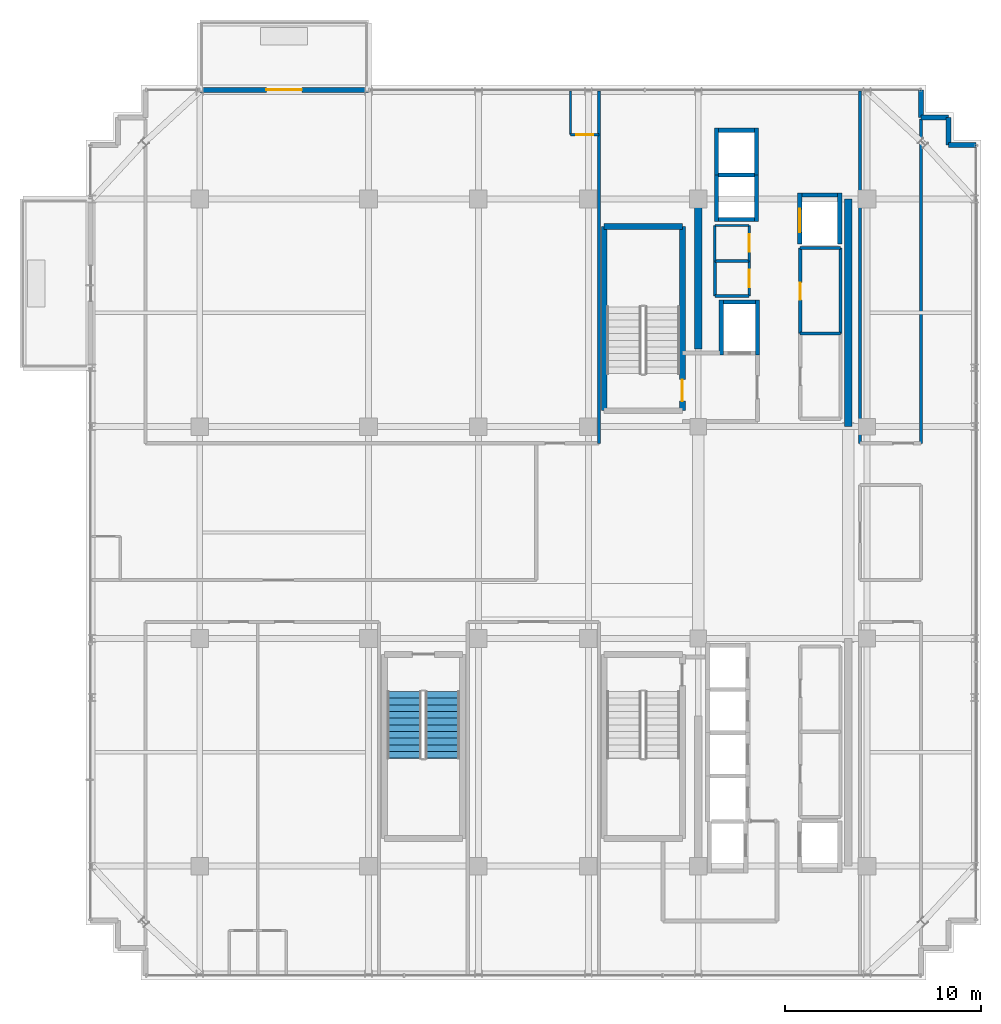
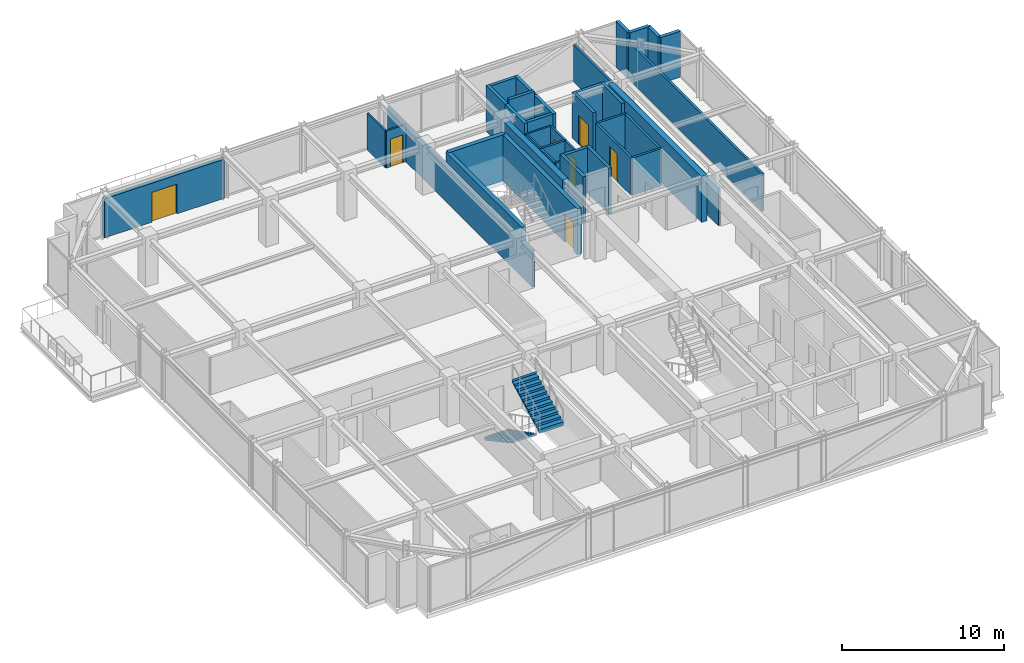
# One storey, part 30 of 34: 39 walls, 7 doors, 2 stair flights, 7 openings, 1 element without a shape of its own.
"""IFC4 building model written with IfcOpenShell, lengths in metres."""

import ifcopenshell
import ifcopenshell.guid

model = None  # the IFC model being written
_history = None  # IfcOwnerHistory: only IFC2X3 demands one
_inside = {}  # id of a spatial element -> (the spatial element, [elements in it])
_under = {}  # id of a project, library or spatial element -> (it, [spatial elements below it])
_declared = {}  # id of a project -> (the project, [libraries it declares])
_typed = {}  # id of a type object -> (the type object, [elements of that type])
_made_of = {}  # id of a material, layer set ... -> (it, [elements and type objects made of it])


def new_model(schema):
    """Start an empty IFC model of exactly this schema.

    Asked for "IFC4X3", IfcOpenShell would pick the latest addendum, in which some entities
    have other attributes; the version numbers below select the first issue.
    IFC2X3 requires an IfcOwnerHistory on every rooted entity: one is made here for all.
    """
    global model, _history
    if schema == "IFC4X3":
        model = ifcopenshell.file(schema_version=(4, 3, 0, 0))
    else:
        model = ifcopenshell.file(schema=schema)
    _inside.clear()
    _under.clear()
    _declared.clear()
    _typed.clear()
    _made_of.clear()
    _history = None
    if model.schema == "IFC2X3":
        org = make("IfcOrganization", Name="unknown")
        user = make(
            "IfcPersonAndOrganization",
            ThePerson=make("IfcPerson", FamilyName="unknown"),
            TheOrganization=org,
        )
        app = make(
            "IfcApplication",
            ApplicationDeveloper=org,
            Version="unknown",
            ApplicationFullName="unknown",
            ApplicationIdentifier="unknown",
        )
        _history = make(
            "IfcOwnerHistory",
            OwningUser=user,
            OwningApplication=app,
            ChangeAction="ADDED",
            CreationDate=0,
        )
    return model


def make(cls, **values):
    """One entity of the class cls with the attributes given. An attribute that is None is left unset."""
    return model.create_entity(
        cls, **{name: value for name, value in values.items() if value is not None}
    )


def rooted(cls, **values):
    """An entity with a GlobalId (a new one), such as an element, a storey or a relation."""
    return make(cls, GlobalId=ifcopenshell.guid.new(), OwnerHistory=_history, **values)


def si_unit(unit_type, name, prefix=None):
    """IfcSIUnit, for example si_unit("LENGTHUNIT", "METRE", prefix="MILLI")."""
    return make("IfcSIUnit", UnitType=unit_type, Prefix=prefix, Name=name)


def assignment(units):
    """IfcUnitAssignment: the units of a project."""
    return None if units is None else make("IfcUnitAssignment", Units=units)


def point(xyz):
    """IfcCartesianPoint."""
    return None if xyz is None else make("IfcCartesianPoint", Coordinates=xyz)


def direction(xyz):
    """IfcDirection."""
    return None if xyz is None else make("IfcDirection", DirectionRatios=xyz)


def frame(location, z_axis=None, x_axis=None):
    """IfcAxis2Placement3D, a coordinate frame: its origin and axes. An axis left out is left unset."""
    return make(
        "IfcAxis2Placement3D",
        Location=point(location),
        Axis=direction(z_axis),
        RefDirection=direction(x_axis),
    )


def frame_2d(location, x_axis=None):
    """IfcAxis2Placement2D, a coordinate frame in the plane: its origin and x axis."""
    return make(
        "IfcAxis2Placement2D", Location=point(location), RefDirection=direction(x_axis)
    )


def origin():
    """The frame at (0, 0, 0) with its axes left unset."""
    return frame((0.0, 0.0, 0.0))


def place(relative_to, where):
    """IfcLocalPlacement: puts the frame where relative to a parent placement (None: the world)."""
    return make(
        "IfcLocalPlacement", PlacementRelTo=relative_to, RelativePlacement=where
    )


def context(
    kind, dimensions, precision=None, world=None, true_north=None, identifier=None
):
    """IfcGeometricRepresentationContext, for example the 3D "Model" context."""
    return make(
        "IfcGeometricRepresentationContext",
        ContextIdentifier=identifier,
        ContextType=kind,
        CoordinateSpaceDimension=dimensions,
        Precision=precision,
        WorldCoordinateSystem=world,
        TrueNorth=true_north,
    )


def subcontext(parent, identifier, kind, view, scale=None):
    """IfcGeometricRepresentationSubContext, for example "Body" below "Model"."""
    return make(
        "IfcGeometricRepresentationSubContext",
        ContextIdentifier=identifier,
        ContextType=kind,
        ParentContext=parent,
        TargetScale=scale,
        TargetView=view,
    )


def project(units=None, contexts=None):
    """IfcProject with its units and contexts."""
    return rooted(
        "IfcProject",
        Name="project",
        RepresentationContexts=contexts,
        UnitsInContext=assignment(units),
    )


def spatial(cls, under=None, at=None, **own):
    """A site, building, storey or space (cls), placed at a placement, below another one or the project."""
    s = rooted(cls, ObjectPlacement=at, **own)
    if under is not None:
        _under.setdefault(under.id(), (under, []))[1].append(s)
    return s


def polyline(points):
    """IfcPolyline through the points."""
    return make("IfcPolyline", Points=[point(p) for p in points])


def profile(cls, at=None, kind="AREA", **sizes):
    """A parametric profile (cls). Its sizes go by their IFC names, for example OverallWidth=200.0."""
    return make(cls, ProfileType=kind, Position=at, **sizes)


def rectangle(**sizes):
    """IfcRectangleProfileDef."""
    return profile("IfcRectangleProfileDef", **sizes)


def outline(outer, holes=None, kind="AREA"):
    """IfcArbitraryClosedProfileDef: a profile drawn as a closed curve; with holes, ...WithVoids."""
    if holes is None:
        return make("IfcArbitraryClosedProfileDef", ProfileType=kind, OuterCurve=outer)
    return make(
        "IfcArbitraryProfileDefWithVoids",
        ProfileType=kind,
        OuterCurve=outer,
        InnerCurves=holes,
    )


def extrude(swept, where, along, depth):
    """IfcExtrudedAreaSolid: the profile swept, set in the frame where, extruded along a direction by depth."""
    return make(
        "IfcExtrudedAreaSolid",
        SweptArea=swept,
        Position=where,
        ExtrudedDirection=direction(along),
        Depth=depth,
    )


def shape(context_of_items, identifier, shape_type, items):
    """IfcShapeRepresentation: the items that make up one representation, for example the "Body"."""
    return make(
        "IfcShapeRepresentation",
        ContextOfItems=context_of_items,
        RepresentationIdentifier=identifier,
        RepresentationType=shape_type,
        Items=items,
    )


def source(mapping_origin, context_of_items, identifier, shape_type, items):
    """IfcRepresentationMap: a shape defined once, which mapped items show again and again."""
    return make(
        "IfcRepresentationMap",
        MappingOrigin=mapping_origin,
        MappedRepresentation=shape(context_of_items, identifier, shape_type, items),
    )


def transform(
    local_origin,
    x_axis=None,
    y_axis=None,
    z_axis=None,
    scale=None,
    scale2=None,
    scale3=None,
    uniform=True,
):
    """IfcCartesianTransformationOperator3D, or its non-uniform kind. x_axis, y_axis, z_axis: its Axis1, 2, 3."""
    if uniform:
        return make(
            "IfcCartesianTransformationOperator3D",
            Axis1=direction(x_axis),
            Axis2=direction(y_axis),
            LocalOrigin=point(local_origin),
            Scale=scale,
            Axis3=direction(z_axis),
        )
    return make(
        "IfcCartesianTransformationOperator3DnonUniform",
        Axis1=direction(x_axis),
        Axis2=direction(y_axis),
        LocalOrigin=point(local_origin),
        Scale=scale,
        Axis3=direction(z_axis),
        Scale2=scale2,
        Scale3=scale3,
    )


def mapped(mapping_source, mapping_target):
    """IfcMappedItem: shows the shape of a source again, moved by a transform."""
    return make(
        "IfcMappedItem", MappingSource=mapping_source, MappingTarget=mapping_target
    )


def material(Name=None, Category=None):
    """IfcMaterial."""
    return make("IfcMaterial", Name=Name, Category=Category)


def layer(
    of_material, thickness, ventilated=None, Name=None, Category=None, Priority=None
):
    """IfcMaterialLayer: one layer of a wall or slab, of a material (None: an air gap)."""
    return make(
        "IfcMaterialLayer",
        Material=of_material,
        LayerThickness=thickness,
        IsVentilated=ventilated,
        Name=Name,
        Category=Category,
        Priority=Priority,
    )


def layer_set(layers, Name=None):
    """IfcMaterialLayerSet."""
    return make("IfcMaterialLayerSet", MaterialLayers=layers, LayerSetName=Name)


def made_of(thing, what):
    """Note that an element or type object is made of a material, layer set ...; save() writes the relation."""
    if what is not None:
        _made_of.setdefault(what.id(), (what, []))[1].append(thing)
    return thing


def type_object(cls, material=None, **own):
    """A type object (cls), such as IfcWallType, which elements share."""
    return made_of(rooted(cls, **own), material)


def element(
    cls,
    number,
    at=None,
    inside=None,
    cuts=None,
    type_object=None,
    material=None,
    context=None,
    identifier="Body",
    shape_type=None,
    held_by="IfcProductDefinitionShape",
    body=None,
    shapes=None,
    **own,
):
    """One element of the class cls, such as IfcWall. Its Tag is "e" and its number.

    at: its placement. inside: the storey or other place that contains it. cuts: it is an
    opening in that element (IfcRelVoidsElement). A single representation is given by context,
    identifier, shape_type and body (its items); several are given by shapes. held_by: the class
    of the entity that holds the representations. save() writes the other relations.
    """
    e = rooted(cls, Tag="e%d" % number, ObjectPlacement=at, **own)
    if body is not None:
        shapes = [shape(context, identifier, shape_type, body)]
    if shapes is not None:
        e.Representation = make(held_by, Representations=shapes)
    if inside is not None:
        _inside.setdefault(inside.id(), (inside, []))[1].append(e)
    if cuts is not None:
        rooted(
            "IfcRelVoidsElement", RelatingBuildingElement=cuts, RelatedOpeningElement=e
        )
    if type_object is not None:
        _typed.setdefault(type_object.id(), (type_object, []))[1].append(e)
    return made_of(e, material)


def fill(opening, filler):
    """IfcRelFillsElement: the door or window that sits in an opening."""
    return rooted(
        "IfcRelFillsElement",
        RelatingOpeningElement=opening,
        RelatedBuildingElement=filler,
    )


def aggregate(whole, parts):
    """IfcRelAggregates: a whole, such as a stair, and the parts it consists of."""
    return rooted("IfcRelAggregates", RelatingObject=whole, RelatedObjects=parts)


def save(model, path):
    """Write the relations noted so far, then the file.

    IfcRelAggregates (storeys below a building ...), IfcRelContainedInSpatialStructure (elements
    in a storey), IfcRelDefinesByType, IfcRelAssociatesMaterial and IfcRelDeclares: one each for
    every whole, place, type object, material and project.
    """
    for whole, parts in _under.values():
        aggregate(whole, parts)
    for where, things in _inside.values():
        rooted(
            "IfcRelContainedInSpatialStructure",
            RelatedElements=things,
            RelatingStructure=where,
        )
    for kind, things in _typed.values():
        rooted("IfcRelDefinesByType", RelatedObjects=things, RelatingType=kind)
    for what, things in _made_of.values():
        rooted("IfcRelAssociatesMaterial", RelatedObjects=things, RelatingMaterial=what)
    for by, libraries in _declared.values():
        rooted("IfcRelDeclares", RelatingContext=by, RelatedDefinitions=libraries)
    model.write(path)


model = new_model("IFC4")

# Units and contexts
model_context = context("Model", 3, precision=1e-05, world=origin(), true_north=direction((0.0, 1.0)))
body_context = subcontext(model_context, "Body", "Model", "MODEL_VIEW")
ifc_project = project(units=[si_unit("LENGTHUNIT", "METRE"), si_unit("AREAUNIT", "SQUARE_METRE"), si_unit("VOLUMEUNIT", "CUBIC_METRE"), si_unit("PLANEANGLEUNIT", "RADIAN"), si_unit("MASSUNIT", "GRAM", prefix="KILO")], contexts=[model_context])

# Site, building, storey
site_placement = place(None, origin())
site = spatial("IfcSite", under=ifc_project, at=site_placement, CompositionType="ELEMENT")
building_placement = place(site_placement, origin())
building = spatial("IfcBuilding", under=site, at=building_placement, Name="Nahalor Promenade Grand Hotel", CompositionType="ELEMENT")
storey_placement = place(building_placement, frame((0.0, 0.0, 334.75)))
storey = spatial("IfcBuildingStorey", under=building, at=storey_placement, Name="L86", CompositionType="ELEMENT", Elevation=334.75)

# Walls
ifc_material_1 = material(Name="Concrete B-50 (C40/50)", Category="concrete")
ifc_layer_1 = layer(ifc_material_1, 0.39990234375)
ifc_layer_set_1 = layer_set([ifc_layer_1], Name="Concrete B-50 (C40/50)")
wall_type_1 = type_object("IfcWallType", Name="Wall-CoreShear-400", PredefinedType="SHEAR", material=ifc_layer_set_1)
shared_shape_1 = source(origin(), body_context, "Body", "SweptSolid", [
    extrude(rectangle(XDim=7.64990234375, YDim=0.39990234375, at=frame_2d((3.824951171875, 0.0))), origin(), (0.0, 0.0, 1.0), 3.469970703125),
])
wall_1_placement = place(storey_placement, frame((8.39990234375, 9.35009765625, 0.0), z_axis=(0.0, 0.0, 1.0), x_axis=(0.0, 1.0, 0.0)))
element("IfcWall", 1, at=wall_1_placement, inside=storey, type_object=wall_type_1, Name="CWALL-L86-NW", PredefinedType="SHEAR", context=body_context, shape_type="MappedRepresentation", body=[
    mapped(shared_shape_1, transform((0.0, 0.0, 0.0), scale=1.0)),
])
shared_shape_2 = source(origin(), body_context, "Body", "SweptSolid", [
    extrude(rectangle(XDim=11.60009765625, YDim=0.39990234375, at=frame_2d((5.800048828125, 0.0))), origin(), (0.0, 0.0, 1.0), 3.469970703125),
])
wall_2_placement = place(storey_placement, frame((16.050048828125, 5.39990234375, 0.0), z_axis=(0.0, 0.0, 1.0), x_axis=(0.0, 1.0, 0.0)))
element("IfcWall", 2, at=wall_2_placement, inside=storey, type_object=wall_type_1, Name="CWALL-L86-NE", PredefinedType="SHEAR", context=body_context, shape_type="MappedRepresentation", body=[
    mapped(shared_shape_2, transform((0.0, 0.0, 0.0), scale=1.0)),
])
ifc_layer_2 = layer(ifc_material_1, 0.300048828125)
ifc_layer_set_2 = layer_set([ifc_layer_2], Name="Concrete B-50 (C40/50)")
wall_type_2 = type_object("IfcWallType", Name="Wall-ShaftShear-300", PredefinedType="SHEAR", material=ifc_layer_set_2)
shared_shape_3 = source(origin(), body_context, "Body", "SweptSolid", [
    extrude(rectangle(XDim=3.97998046875, YDim=0.300048828125, at=frame_2d((1.989990234375, 0.0))), origin(), (0.0, 0.0, 1.0), 3.469970703125),
])
wall_3_placement = place(storey_placement, frame((3.610107421875, 15.590087890625, 0.0), z_axis=(0.0, 0.0, 1.0), x_axis=(1.0, 0.0, 0.0)))
element("IfcWall", 3, at=wall_3_placement, inside=storey, type_object=wall_type_2, Name="L86 Exit Stair ST1 Shaft Wall N", PredefinedType="SHEAR", context=body_context, shape_type="MappedRepresentation", body=[
    mapped(shared_shape_3, transform((0.0, 0.0, 0.0), scale=1.0)),
])
shared_shape_4 = source(origin(), body_context, "Body", "SweptSolid", [
    extrude(rectangle(XDim=9.380126953125, YDim=0.300048828125, at=frame_2d((4.68994140625, 0.0))), origin(), (0.0, 0.0, 1.0), 3.469970703125),
])
wall_4_placement = place(storey_placement, frame((3.610107421875, 6.2099609375, 0.0), z_axis=(0.0, 0.0, 1.0), x_axis=(0.0, 1.0, 0.0)))
element("IfcWall", 4, at=wall_4_placement, inside=storey, type_object=wall_type_2, Name="L86 Exit Stair ST1 Shaft Wall W", PredefinedType="SHEAR", context=body_context, shape_type="MappedRepresentation", body=[
    mapped(shared_shape_4, transform((0.0, 0.0, 0.0), scale=1.0)),
])

# Wall, opening, door
wall_5_placement = place(storey_placement, frame((7.590087890625, 6.2099609375, 0.0), z_axis=(0.0, 0.0, 1.0), x_axis=(0.0, 1.0, 0.0)))
wall_5 = element("IfcWall", 5, at=wall_5_placement, inside=storey, type_object=wall_type_2, Name="L86 Exit Stair ST1 Shaft Wall E", PredefinedType="SHEAR", context=body_context, shape_type="MappedRepresentation", body=[
    mapped(shared_shape_4, transform((0.0, 0.0, 0.0), scale=1.0)),
])
opening_1_placement = place(wall_5_placement, frame((0.489990234375, 0.0, 0.0)))
opening_1 = element("IfcOpeningElement", 6, at=opening_1_placement, cuts=wall_5, Name="Opening D-ST1", PredefinedType="OPENING", context=body_context, shape_type="SweptSolid", body=[
    extrude(rectangle(XDim=1.10009765625, YDim=2.14990234375, at=frame_2d((0.550048828125, 1.074951171875))), frame((0.0, 0.159912109375, 0.0), z_axis=(0.0, -1.0, 0.0), x_axis=(1.0, 0.0, 0.0)), (0.0, 0.0, 1.0), 0.320068359375),
])
ifc_material_2 = material(Name="Steel S355JR", Category="steel")
door_type_1 = type_object("IfcDoorType", Name="Door-StairFire-1100", OperationType="NOTDEFINED", PredefinedType="DOOR", material=ifc_material_2)
shared_shape_5 = source(origin(), body_context, "Body", "SweptSolid", [
    extrude(rectangle(XDim=1.10009765625, YDim=2.14990234375, at=frame_2d((0.550048828125, 1.074951171875))), frame((0.0, 0.02490234375, 0.0), z_axis=(0.0, -1.0, 0.0), x_axis=(1.0, 0.0, 0.0)), (0.0, 0.0, 1.0), 0.050048828125),
])
door_1_placement = place(opening_1_placement, origin())
door_1 = element("IfcDoor", 7, at=door_1_placement, inside=storey, type_object=door_type_1, Name="DR-STAIR-ST1-L86", OperationType="SINGLE_SWING_LEFT", OverallHeight=2.14990234375, OverallWidth=1.10009765625, PredefinedType="DOOR", context=body_context, shape_type="MappedRepresentation", body=[
    mapped(shared_shape_5, transform((0.0, 0.0, 0.0), scale=1.0)),
])
fill(opening_1, door_1)

# Walls
ifc_layer_3 = layer(ifc_material_1, 0.219970703125)
ifc_layer_set_3 = layer_set([ifc_layer_3], Name="Concrete B-50 (C40/50)")
wall_type_3 = type_object("IfcWallType", Name="Wall-LiftShaft-220", PredefinedType="SHEAR", material=ifc_layer_set_3)
shared_shape_6 = source(origin(), body_context, "Body", "SweptSolid", [
    extrude(rectangle(XDim=1.820068359375, YDim=0.219970703125, at=frame_2d((0.91015625, 0.0))), origin(), (0.0, 0.0, 1.0), 3.469970703125),
])
for number, where, z_axis, x_axis, name in (
    (8, (9.43994140625, 15.949951171875, 0.0), (0.0, 0.0, 1.0), (1.0, 0.0, 0.0), "L86 Lift OB1 Hoistway Wall S"),
    (9, (9.43994140625, 20.5, 0.0), (0.0, 0.0, 1.0), (1.0, 0.0, 0.0), "L86 Lift OB2 Hoistway Wall N"),
    (10, (13.68994140625, 17.199951171875, 0.0), (0.0, 0.0, 1.0), (1.0, 0.0, 0.0), "L86 Lift SV1 Hoistway Wall N"),
):
    element("IfcWall", number, at=place(storey_placement, frame(where, z_axis=z_axis, x_axis=x_axis)), inside=storey, type_object=wall_type_3, Name=name, PredefinedType="SHEAR", context=body_context, shape_type="MappedRepresentation", body=[
        mapped(shared_shape_6, transform((0.0, 0.0, 0.0), scale=1.0)),
    ])
shared_shape_7 = source(origin(), body_context, "Body", "SweptSolid", [
    extrude(rectangle(XDim=1.820068359375, YDim=0.219970703125, at=frame_2d((0.91015625, 0.0))), origin(), (0.0, 0.0, 1.0), 3.800048828125),
])
wall_6_placement = place(storey_placement, frame((9.43994140625, 18.22509765625, 0.0), z_axis=(0.0, 0.0, 1.0), x_axis=(1.0, 0.0, 0.0)))
element("IfcWall", 11, at=wall_6_placement, inside=storey, type_object=wall_type_3, Name="L86 Lift OB1 Hoistway Wall N", PredefinedType="SHEAR", context=body_context, shape_type="MappedRepresentation", body=[
    mapped(shared_shape_7, transform((0.0, 0.0, 0.0), scale=1.0)),
])
shared_shape_8 = source(origin(), body_context, "Body", "SweptSolid", [
    extrude(rectangle(XDim=2.385009765625, YDim=0.219970703125, at=frame_2d((1.1923828125, 0.0))), origin(), (0.0, 0.0, 1.0), 3.469970703125),
])
for number, where, z_axis, x_axis, name in (
    (12, (9.330078125, 15.840087890625, 0.0), (0.0, 0.0, 1.0), (0.0, 1.0, 0.0), "L86 Lift OB1 Hoistway Wall W"),
    (13, (11.3701171875, 15.840087890625, 0.0), (0.0, 0.0, 1.0), (0.0, 1.0, 0.0), "L86 Lift OB1 Hoistway Wall E"),
    (14, (9.330078125, 18.22509765625, 0.0), (0.0, 0.0, 1.0), (0.0, 1.0, 0.0), "L86 Lift OB2 Hoistway Wall W"),
    (15, (11.3701171875, 18.22509765625, 0.0), (0.0, 0.0, 1.0), (0.0, 1.0, 0.0), "L86 Lift OB2 Hoistway Wall E"),
):
    element("IfcWall", number, at=place(storey_placement, frame(where, z_axis=z_axis, x_axis=x_axis)), inside=storey, type_object=wall_type_3, Name=name, PredefinedType="SHEAR", context=body_context, shape_type="MappedRepresentation", body=[
        mapped(shared_shape_8, transform((0.0, 0.0, 0.0), scale=1.0)),
    ])
shared_shape_9 = source(origin(), body_context, "Body", "SweptSolid", [
    extrude(rectangle(XDim=2.820068359375, YDim=0.219970703125, at=frame_2d((1.41015625, 0.0))), origin(), (0.0, 0.0, 1.0), 3.469970703125),
])
for number, where, z_axis, x_axis, name in (
    (16, (9.580078125, 9.0400390625, 0.0), (0.0, 0.0, 1.0), (0.0, 1.0, 0.0), "L86 Lift FL1 Hoistway Wall W"),
    (17, (11.419921875, 9.0400390625, 0.0), (0.0, 0.0, 1.0), (0.0, 1.0, 0.0), "L86 Lift FL1 Hoistway Wall E"),
):
    element("IfcWall", number, at=place(storey_placement, frame(where, z_axis=z_axis, x_axis=x_axis)), inside=storey, type_object=wall_type_3, Name=name, PredefinedType="SHEAR", context=body_context, shape_type="MappedRepresentation", body=[
        mapped(shared_shape_9, transform((0.0, 0.0, 0.0), scale=1.0)),
    ])
shared_shape_10 = source(origin(), body_context, "Body", "SweptSolid", [
    extrude(rectangle(XDim=1.6201171875, YDim=0.219970703125, at=frame_2d((0.81005859375, 0.0))), origin(), (0.0, 0.0, 1.0), 3.469970703125),
])
wall_7_placement = place(storey_placement, frame((9.68994140625, 11.75, 0.0), z_axis=(0.0, 0.0, 1.0), x_axis=(1.0, 0.0, 0.0)))
element("IfcWall", 18, at=wall_7_placement, inside=storey, type_object=wall_type_3, Name="L86 Lift FL1 Hoistway Wall N", PredefinedType="SHEAR", context=body_context, shape_type="MappedRepresentation", body=[
    mapped(shared_shape_10, transform((0.0, 0.0, 0.0), scale=1.0)),
])

# Wall, opening, door
shared_shape_11 = source(origin(), body_context, "Body", "SweptSolid", [
    extrude(rectangle(XDim=2.610107421875, YDim=0.219970703125, at=frame_2d((1.30517578125, 0.0))), origin(), (0.0, 0.0, 1.0), 3.469970703125),
])
wall_8_placement = place(storey_placement, frame((13.580078125, 14.699951171875, 0.0), z_axis=(0.0, 0.0, 1.0), x_axis=(0.0, 1.0, 0.0)))
wall_8 = element("IfcWall", 19, at=wall_8_placement, inside=storey, type_object=wall_type_3, Name="L86 Lift SV1 Hoistway Wall W", PredefinedType="SHEAR", context=body_context, shape_type="MappedRepresentation", body=[
    mapped(shared_shape_11, transform((0.0, 0.0, 0.0), scale=1.0)),
])
opening_2_placement = place(wall_8_placement, frame((0.60009765625, 0.0, 0.0)))
opening_2 = element("IfcOpeningElement", 20, at=opening_2_placement, cuts=wall_8, Name="Opening LD-03", PredefinedType="OPENING", context=body_context, shape_type="SweptSolid", body=[
    extrude(rectangle(XDim=1.199951171875, YDim=2.199951171875, at=frame_2d((0.60009765625, 1.10009765625))), frame((0.0, 0.119873046875, 0.0), z_axis=(0.0, -1.0, 0.0), x_axis=(1.0, 0.0, 0.0)), (0.0, 0.0, 1.0), 0.239990234375),
])
door_type_2 = type_object("IfcDoorType", Name="Door-LiftService-1200", OperationType="DOUBLE_DOOR_SLIDING", PredefinedType="DOOR", material=ifc_material_2)
shared_shape_12 = source(origin(), body_context, "Body", "SweptSolid", [
    extrude(rectangle(XDim=1.199951171875, YDim=2.199951171875, at=frame_2d((0.60009765625, 1.10009765625))), frame((0.0, 0.02490234375, 0.0), z_axis=(0.0, -1.0, 0.0), x_axis=(1.0, 0.0, 0.0)), (0.0, 0.0, 1.0), 0.050048828125),
])
door_2_placement = place(opening_2_placement, origin())
door_2 = element("IfcDoor", 21, at=door_2_placement, inside=storey, type_object=door_type_2, Name="DR-LIFT-SV1-L86", OperationType="DOUBLE_DOOR_SLIDING", OverallHeight=2.199951171875, OverallWidth=1.199951171875, PredefinedType="DOOR", context=body_context, shape_type="MappedRepresentation", body=[
    mapped(shared_shape_12, transform((0.0, 0.0, 0.0), scale=1.0)),
])
fill(opening_2, door_2)

# Walls
wall_9_placement = place(storey_placement, frame((15.6201171875, 14.699951171875, 0.0), z_axis=(0.0, 0.0, 1.0), x_axis=(0.0, 1.0, 0.0)))
element("IfcWall", 22, at=wall_9_placement, inside=storey, type_object=wall_type_3, Name="L86 Lift SV1 Hoistway Wall E", PredefinedType="SHEAR", context=body_context, shape_type="MappedRepresentation", body=[
    mapped(shared_shape_11, transform((0.0, 0.0, 0.0), scale=1.0)),
])
ifc_material_3 = material(Name="Concrete B-40 (C32/40)", Category="concrete")
ifc_layer_4 = layer(ifc_material_3, 0.25)
ifc_layer_set_4 = layer_set([ifc_layer_4], Name="Concrete B-40 (C32/40)")
wall_type_4 = type_object("IfcWallType", Name="Wall-BronzePier-250", PredefinedType="STANDARD", material=ifc_layer_set_4)
shared_shape_13 = source(origin(), body_context, "Body", "SweptSolid", [
    extrude(rectangle(XDim=1.400146484375, YDim=0.25, at=frame_2d((0.7001953125, 0.0))), origin(), (0.0, 0.0, 1.0), 3.469970703125),
])
for number, where, z_axis, x_axis, name in (
    (23, (21.159912109375, 19.760009765625, 0.0), (0.0, 0.0, 1.0), (1.0, 0.0, 0.0), "W-L86-SR-05"),
    (24, (19.760009765625, 21.159912109375, 0.0), (0.0, 0.0, 1.0), (0.0, 1.0, 0.0), "W-L86-SR-08"),
):
    element("IfcWall", number, at=place(storey_placement, frame(where, z_axis=z_axis, x_axis=x_axis)), inside=storey, type_object=wall_type_4, Name=name, PredefinedType="STANDARD", context=body_context, shape_type="MappedRepresentation", body=[
        mapped(shared_shape_13, transform((0.0, 0.0, 0.0), scale=1.0)),
    ])
shared_shape_14 = source(origin(), body_context, "Body", "SweptSolid", [
    extrude(rectangle(XDim=1.39990234375, YDim=0.25, at=frame_2d((0.699951171875, 0.0))), origin(), (0.0, 0.0, 1.0), 3.469970703125),
])
for number, where, z_axis, x_axis, name in (
    (25, (21.159912109375, 19.760009765625, 0.0), (0.0, 0.0, 1.0), (0.0, 1.0, 0.0), "W-L86-SR-06"),
    (26, (19.760009765625, 21.159912109375, 0.0), (0.0, 0.0, 1.0), (1.0, 0.0, 0.0), "W-L86-SR-07"),
):
    element("IfcWall", number, at=place(storey_placement, frame(where, z_axis=z_axis, x_axis=x_axis)), inside=storey, type_object=wall_type_4, Name=name, PredefinedType="STANDARD", context=body_context, shape_type="MappedRepresentation", body=[
        mapped(shared_shape_14, transform((0.0, 0.0, 0.0), scale=1.0)),
    ])

# Wall, opening, door
ifc_layer_5 = layer(ifc_material_3, 0.260009765625)
ifc_layer_set_5 = layer_set([ifc_layer_5], Name="Concrete B-40 (C32/40)")
wall_type_5 = type_object("IfcWallType", Name="Wall-BalconyWall-260", PredefinedType="STANDARD", material=ifc_layer_set_5)
shared_shape_15 = source(origin(), body_context, "Body", "SweptSolid", [
    extrude(rectangle(XDim=8.60009765625, YDim=0.260009765625, at=frame_2d((4.300048828125, 0.0))), origin(), (0.0, 0.0, 1.0), 2.949951171875),
])
wall_10_placement = place(storey_placement, frame((-17.0, 22.56005859375, 0.0), z_axis=(0.0, 0.0, 1.0), x_axis=(1.0, 0.0, 0.0)))
wall_10 = element("IfcWall", 27, at=wall_10_placement, inside=storey, type_object=wall_type_5, Name="W-L86-BALC-N-2", PredefinedType="STANDARD", context=body_context, shape_type="MappedRepresentation", body=[
    mapped(shared_shape_15, transform((0.0, 0.0, 0.0), scale=1.0)),
])
opening_3_placement = place(wall_10_placement, frame((3.39990234375, 0.0, 0.0)))
opening_3 = element("IfcOpeningElement", 28, at=opening_3_placement, cuts=wall_10, Name="Opening D-BC1", PredefinedType="OPENING", context=body_context, shape_type="SweptSolid", body=[
    extrude(rectangle(XDim=1.800048828125, YDim=2.25, at=frame_2d((0.89990234375, 1.125))), frame((0.0, 0.139892578125, 0.0), z_axis=(0.0, -1.0, 0.0), x_axis=(1.0, 0.0, 0.0)), (0.0, 0.0, 1.0), 0.280029296875),
])
ifc_material_4 = material(Name="Anodised Bronze Aluminium EN AW-6063 T6", Category="aluminium")
door_type_3 = type_object("IfcDoorType", Name="Door-BalconySlide-1800", OperationType="DOUBLE_DOOR_SLIDING", PredefinedType="DOOR", material=ifc_material_4)
shared_shape_16 = source(origin(), body_context, "Body", "SweptSolid", [
    extrude(rectangle(XDim=1.800048828125, YDim=2.25, at=frame_2d((0.89990234375, 1.125))), frame((0.0, 0.02490234375, 0.0), z_axis=(0.0, -1.0, 0.0), x_axis=(1.0, 0.0, 0.0)), (0.0, 0.0, 1.0), 0.050048828125),
])
door_3_placement = place(opening_3_placement, origin())
door_3 = element("IfcDoor", 29, at=door_3_placement, inside=storey, type_object=door_type_3, Name="DR-L86-BALC-N-2", OperationType="DOUBLE_DOOR_SLIDING", OverallHeight=2.25, OverallWidth=1.800048828125, PredefinedType="DOOR", context=body_context, shape_type="MappedRepresentation", body=[
    mapped(shared_shape_16, transform((0.0, 0.0, 0.0), scale=1.0)),
])
fill(opening_3, door_3)

# Walls
ifc_material_5 = material(Name="Acoustic Mineral Gypsum", Category="gypsum")
ifc_layer_6 = layer(ifc_material_5, 0.14990234375)
ifc_layer_set_6 = layer_set([ifc_layer_6], Name="Acoustic Mineral Gypsum")
wall_type_6 = type_object("IfcWallType", Name="Wall-PartService-150", PredefinedType="PARTITIONING", material=ifc_layer_set_6)
shared_shape_17 = source(origin(), body_context, "Body", "SweptSolid", [
    extrude(rectangle(XDim=1.75, YDim=0.14990234375, at=frame_2d((0.875, 0.0))), origin(), (0.0, 0.0, 1.0), 2.81005859375),
])
for number, where, z_axis, x_axis, name in (
    (30, (9.25, 12.050048828125, 0.0), (0.0, 0.0, 1.0), (1.0, 0.0, 0.0), "W-L86-CK2A-S"),
    (31, (9.25, 13.85009765625, 0.0), (0.0, 0.0, 1.0), (1.0, 0.0, 0.0), "W-L86-CK2A-N"),
):
    element("IfcWall", number, at=place(storey_placement, frame(where, z_axis=z_axis, x_axis=x_axis)), inside=storey, type_object=wall_type_6, Name=name, PredefinedType="PARTITIONING", context=body_context, shape_type="MappedRepresentation", body=[
        mapped(shared_shape_17, transform((0.0, 0.0, 0.0), scale=1.0)),
    ])
shared_shape_18 = source(origin(), body_context, "Body", "SweptSolid", [
    extrude(rectangle(XDim=1.800048828125, YDim=0.14990234375, at=frame_2d((0.89990234375, 0.0))), origin(), (0.0, 0.0, 1.0), 2.81005859375),
])
wall_11_placement = place(storey_placement, frame((9.25, 12.050048828125, 0.0), z_axis=(0.0, 0.0, 1.0), x_axis=(0.0, 1.0, 0.0)))
element("IfcWall", 32, at=wall_11_placement, inside=storey, type_object=wall_type_6, Name="W-L86-CK2A-W", PredefinedType="PARTITIONING", context=body_context, shape_type="MappedRepresentation", body=[
    mapped(shared_shape_18, transform((0.0, 0.0, 0.0), scale=1.0)),
])

# Wall, opening, door
wall_12_placement = place(storey_placement, frame((11.0, 12.050048828125, 0.0), z_axis=(0.0, 0.0, 1.0), x_axis=(0.0, 1.0, 0.0)))
wall_12 = element("IfcWall", 33, at=wall_12_placement, inside=storey, type_object=wall_type_6, Name="W-L86-CK2A-E", PredefinedType="PARTITIONING", context=body_context, shape_type="MappedRepresentation", body=[
    mapped(shared_shape_18, transform((0.0, 0.0, 0.0), scale=1.0)),
])
opening_4_placement = place(wall_12_placement, frame((0.4599609375, 0.0, 0.0)))
opening_4 = element("IfcOpeningElement", 34, at=opening_4_placement, cuts=wall_12, Name="Opening D-03", PredefinedType="OPENING", context=body_context, shape_type="SweptSolid", body=[
    extrude(rectangle(XDim=0.8798828125, YDim=2.10009765625, at=frame_2d((0.43994140625, 1.050048828125))), frame((0.0, 0.0849609375, 0.0), z_axis=(0.0, -1.0, 0.0), x_axis=(1.0, 0.0, 0.0)), (0.0, 0.0, 1.0), 0.169921875),
])
ifc_material_6 = material(Name="Fire-Rated Timber Composite", Category="wood")
door_type_4 = type_object("IfcDoorType", Name="Door-BathSwing-880", OperationType="NOTDEFINED", PredefinedType="DOOR", material=ifc_material_6)
shared_shape_19 = source(origin(), body_context, "Body", "SweptSolid", [
    extrude(rectangle(XDim=0.8798828125, YDim=2.10009765625, at=frame_2d((0.43994140625, 1.050048828125))), frame((0.0, 0.02490234375, 0.0), z_axis=(0.0, -1.0, 0.0), x_axis=(1.0, 0.0, 0.0)), (0.0, 0.0, 1.0), 0.050048828125),
])
door_4_placement = place(opening_4_placement, origin())
door_4 = element("IfcDoor", 35, at=door_4_placement, inside=storey, type_object=door_type_4, Name="DR-L86-CK2A", OperationType="SINGLE_SWING_LEFT", OverallHeight=2.10009765625, OverallWidth=0.8798828125, PredefinedType="DOOR", context=body_context, shape_type="MappedRepresentation", body=[
    mapped(shared_shape_19, transform((0.0, 0.0, 0.0), scale=1.0)),
])
fill(opening_4, door_4)

# Walls
ifc_layer_7 = layer(ifc_material_5, 0.1201171875)
ifc_layer_set_7 = layer_set([ifc_layer_7], Name="Acoustic Mineral Gypsum")
wall_type_7 = type_object("IfcWallType", Name="Wall-PartBath-120", PredefinedType="PARTITIONING", material=ifc_layer_set_7)
shared_shape_20 = source(origin(), body_context, "Body", "SweptSolid", [
    extrude(rectangle(XDim=1.75, YDim=0.1201171875, at=frame_2d((0.875, 0.0))), origin(), (0.0, 0.0, 1.0), 2.81005859375),
])
wall_13_placement = place(storey_placement, frame((9.25, 15.64990234375, 0.0), z_axis=(0.0, 0.0, 1.0), x_axis=(1.0, 0.0, 0.0)))
element("IfcWall", 36, at=wall_13_placement, inside=storey, type_object=wall_type_7, Name="W-L86-CK2B-N", PredefinedType="PARTITIONING", context=body_context, shape_type="MappedRepresentation", body=[
    mapped(shared_shape_20, transform((0.0, 0.0, 0.0), scale=1.0)),
])
shared_shape_21 = source(origin(), body_context, "Body", "SweptSolid", [
    extrude(rectangle(XDim=1.7998046875, YDim=0.1201171875, at=frame_2d((0.89990234375, 0.0))), origin(), (0.0, 0.0, 1.0), 2.81005859375),
])
wall_14_placement = place(storey_placement, frame((9.25, 13.85009765625, 0.0), z_axis=(0.0, 0.0, 1.0), x_axis=(0.0, 1.0, 0.0)))
element("IfcWall", 37, at=wall_14_placement, inside=storey, type_object=wall_type_7, Name="W-L86-CK2B-W", PredefinedType="PARTITIONING", context=body_context, shape_type="MappedRepresentation", body=[
    mapped(shared_shape_21, transform((0.0, 0.0, 0.0), scale=1.0)),
])

# Wall, opening, door
wall_15_placement = place(storey_placement, frame((11.0, 13.85009765625, 0.0), z_axis=(0.0, 0.0, 1.0), x_axis=(0.0, 1.0, 0.0)))
wall_15 = element("IfcWall", 38, at=wall_15_placement, inside=storey, type_object=wall_type_7, Name="W-L86-CK2B-E", PredefinedType="PARTITIONING", context=body_context, shape_type="MappedRepresentation", body=[
    mapped(shared_shape_21, transform((0.0, 0.0, 0.0), scale=1.0)),
])
opening_5_placement = place(wall_15_placement, frame((0.4599609375, 0.0, 0.0)))
opening_5 = element("IfcOpeningElement", 39, at=opening_5_placement, cuts=wall_15, Name="Opening D-03", PredefinedType="OPENING", context=body_context, shape_type="SweptSolid", body=[
    extrude(rectangle(XDim=0.8798828125, YDim=2.10009765625, at=frame_2d((0.43994140625, 1.050048828125))), frame((0.0, 0.070068359375, 0.0), z_axis=(0.0, -1.0, 0.0), x_axis=(1.0, 0.0, 0.0)), (0.0, 0.0, 1.0), 0.14013671875),
])
door_5_placement = place(opening_5_placement, origin())
door_5 = element("IfcDoor", 40, at=door_5_placement, inside=storey, type_object=door_type_4, Name="DR-L86-CK2B", OperationType="SINGLE_SWING_RIGHT", OverallHeight=2.10009765625, OverallWidth=0.8798828125, PredefinedType="DOOR", context=body_context, shape_type="MappedRepresentation", body=[
    mapped(shared_shape_19, transform((0.0, 0.0, 0.0), scale=1.0)),
])
fill(opening_5, door_5)

# Walls
ifc_layer_8 = layer(ifc_material_5, 0.159912109375)
ifc_layer_set_8 = layer_set([ifc_layer_8], Name="Acoustic Mineral Gypsum")
wall_type_8 = type_object("IfcWallType", Name="Wall-PartCorridor-160", PredefinedType="PARTITIONING", material=ifc_layer_set_8)
shared_shape_22 = source(origin(), body_context, "Body", "SweptSolid", [
    extrude(rectangle(XDim=2.0498046875, YDim=0.159912109375, at=frame_2d((1.02490234375, 0.0))), origin(), (0.0, 0.0, 1.0), 2.81005859375),
])
for number, where, z_axis, x_axis, name in (
    (41, (13.60009765625, 10.14990234375, 0.0), (0.0, 0.0, 1.0), (1.0, 0.0, 0.0), "W-L86-FRB1A-N"),
    (42, (13.60009765625, 14.5, 0.0), (0.0, 0.0, 1.0), (1.0, 0.0, 0.0), "W-L86-FRB1B-N"),
):
    element("IfcWall", number, at=place(storey_placement, frame(where, z_axis=z_axis, x_axis=x_axis)), inside=storey, type_object=wall_type_8, Name=name, PredefinedType="PARTITIONING", context=body_context, shape_type="MappedRepresentation", body=[
        mapped(shared_shape_22, transform((0.0, 0.0, 0.0), scale=1.0)),
    ])

# Wall, opening, door
shared_shape_23 = source(origin(), body_context, "Body", "SweptSolid", [
    extrude(rectangle(XDim=4.35009765625, YDim=0.159912109375, at=frame_2d((2.175048828125, 0.0))), origin(), (0.0, 0.0, 1.0), 2.81005859375),
])
wall_16_placement = place(storey_placement, frame((13.60009765625, 10.14990234375, 0.0), z_axis=(0.0, 0.0, 1.0), x_axis=(0.0, 1.0, 0.0)))
wall_16 = element("IfcWall", 43, at=wall_16_placement, inside=storey, type_object=wall_type_8, Name="W-L86-FRB1B-W", PredefinedType="PARTITIONING", context=body_context, shape_type="MappedRepresentation", body=[
    mapped(shared_shape_23, transform((0.0, 0.0, 0.0), scale=1.0)),
])
opening_6_placement = place(wall_16_placement, frame((1.7099609375, 0.0, 0.0)))
opening_6 = element("IfcOpeningElement", 44, at=opening_6_placement, cuts=wall_16, Name="Opening D-03", PredefinedType="OPENING", context=body_context, shape_type="SweptSolid", body=[
    extrude(rectangle(XDim=0.8798828125, YDim=2.10009765625, at=frame_2d((0.43994140625, 1.050048828125))), frame((0.0, 0.08984375, 0.0), z_axis=(0.0, -1.0, 0.0), x_axis=(1.0, 0.0, 0.0)), (0.0, 0.0, 1.0), 0.179931640625),
])
door_6_placement = place(opening_6_placement, frame((0.8798828125, 0.0, 0.0), z_axis=(0.0, 0.0, 1.0), x_axis=(-1.0, 0.0, 0.0)))
door_6 = element("IfcDoor", 45, at=door_6_placement, inside=storey, type_object=door_type_4, Name="DR-L86-FRB1B", OperationType="SINGLE_SWING_RIGHT", OverallHeight=2.10009765625, OverallWidth=0.8798828125, PredefinedType="DOOR", context=body_context, shape_type="MappedRepresentation", body=[
    mapped(shared_shape_19, transform((0.0, 0.0, 0.0), scale=1.0)),
])
fill(opening_6, door_6)

# Walls
wall_17_placement = place(storey_placement, frame((15.64990234375, 10.14990234375, 0.0), z_axis=(0.0, 0.0, 1.0), x_axis=(0.0, 1.0, 0.0)))
element("IfcWall", 46, at=wall_17_placement, inside=storey, type_object=wall_type_8, Name="W-L86-FRB1B-E", PredefinedType="PARTITIONING", context=body_context, shape_type="MappedRepresentation", body=[
    mapped(shared_shape_23, transform((0.0, 0.0, 0.0), scale=1.0)),
])
shared_shape_24 = source(origin(), body_context, "Body", "SweptSolid", [
    extrude(rectangle(XDim=17.949951171875, YDim=0.159912109375, at=frame_2d((8.97509765625, 0.0))), origin(), (0.0, 0.0, 1.0), 2.81005859375),
])
wall_18_placement = place(storey_placement, frame((16.64990234375, 4.550048828125, 0.0), z_axis=(0.0, 0.0, 1.0), x_axis=(0.0, 1.0, 0.0)))
element("IfcWall", 47, at=wall_18_placement, inside=storey, type_object=wall_type_8, Name="W-L86-ENE-W", PredefinedType="PARTITIONING", context=body_context, shape_type="MappedRepresentation", body=[
    mapped(shared_shape_24, transform((0.0, 0.0, 0.0), scale=1.0)),
])
shared_shape_25 = source(origin(), body_context, "Body", "SweptSolid", [
    extrude(rectangle(XDim=16.530029296875, YDim=0.159912109375, at=frame_2d((8.26513671875, 0.0))), origin(), (0.0, 0.0, 1.0), 2.81005859375),
])
wall_19_placement = place(storey_placement, frame((19.760009765625, 4.550048828125, 0.0), z_axis=(0.0, 0.0, 1.0), x_axis=(0.0, 1.0, 0.0)))
element("IfcWall", 48, at=wall_19_placement, inside=storey, type_object=wall_type_8, Name="W-L86-ENE-E", PredefinedType="PARTITIONING", context=body_context, shape_type="MappedRepresentation", body=[
    mapped(shared_shape_25, transform((0.0, 0.0, 0.0), scale=1.0)),
])
ifc_layer_9 = layer(ifc_material_5, 0.139892578125)
ifc_layer_set_9 = layer_set([ifc_layer_9], Name="Acoustic Mineral Gypsum")
wall_type_9 = type_object("IfcWallType", Name="Wall-PartSuite-140", PredefinedType="PARTITIONING", material=ifc_layer_set_9)
shared_shape_26 = source(origin(), body_context, "Body", "SweptSolid", [
    extrude(rectangle(XDim=17.949951171875, YDim=0.139892578125, at=frame_2d((8.97509765625, 0.0))), origin(), (0.0, 0.0, 1.0), 2.81005859375),
])
wall_20_placement = place(storey_placement, frame((3.340087890625, 4.550048828125, 0.0), z_axis=(0.0, 0.0, 1.0), x_axis=(0.0, 1.0, 0.0)))
element("IfcWall", 49, at=wall_20_placement, inside=storey, type_object=wall_type_9, Name="W-L86-NW-ENDE", PredefinedType="PARTITIONING", context=body_context, shape_type="MappedRepresentation", body=[
    mapped(shared_shape_26, transform((0.0, 0.0, 0.0), scale=1.0)),
])

# Wall, opening, door
shared_shape_27 = source(origin(), body_context, "Body", "SweptSolid", [
    extrude(rectangle(XDim=1.4501953125, YDim=0.1201171875, at=frame_2d((0.72509765625, 0.0))), origin(), (0.0, 0.0, 1.0), 2.81005859375),
])
wall_21_placement = place(storey_placement, frame((1.889892578125, 20.280029296875, 0.0), z_axis=(0.0, 0.0, 1.0), x_axis=(1.0, 0.0, 0.0)))
wall_21 = element("IfcWall", 50, at=wall_21_placement, inside=storey, type_object=wall_type_7, Name="W-L86-N1-BH", PredefinedType="PARTITIONING", context=body_context, shape_type="MappedRepresentation", body=[
    mapped(shared_shape_27, transform((0.0, 0.0, 0.0), scale=1.0)),
])
opening_7_placement = place(wall_21_placement, frame((0.284912109375, 0.0, 0.0)))
opening_7 = element("IfcOpeningElement", 51, at=opening_7_placement, cuts=wall_21, Name="Opening D-03", PredefinedType="OPENING", context=body_context, shape_type="SweptSolid", body=[
    extrude(rectangle(XDim=0.8798828125, YDim=2.10009765625, at=frame_2d((0.43994140625, 1.050048828125))), frame((0.0, 0.070068359375, 0.0), z_axis=(0.0, -1.0, 0.0), x_axis=(1.0, 0.0, 0.0)), (0.0, 0.0, 1.0), 0.14013671875),
])
door_7_placement = place(opening_7_placement, origin())
door_7 = element("IfcDoor", 52, at=door_7_placement, inside=storey, type_object=door_type_4, Name="DR-L86-N1-BATH", OperationType="SINGLE_SWING_LEFT", OverallHeight=2.10009765625, OverallWidth=0.8798828125, PredefinedType="DOOR", context=body_context, shape_type="MappedRepresentation", body=[
    mapped(shared_shape_19, transform((0.0, 0.0, 0.0), scale=1.0)),
])
fill(opening_7, door_7)

# Wall
shared_shape_28 = source(origin(), body_context, "Body", "SweptSolid", [
    extrude(rectangle(XDim=2.219970703125, YDim=0.1201171875, at=frame_2d((1.10986328125, 0.0))), origin(), (0.0, 0.0, 1.0), 2.81005859375),
])
wall_22_placement = place(storey_placement, frame((1.889892578125, 20.280029296875, 0.0), z_axis=(0.0, 0.0, 1.0), x_axis=(0.0, 1.0, 0.0)))
element("IfcWall", 53, at=wall_22_placement, inside=storey, type_object=wall_type_7, Name="W-L86-N1-BV", PredefinedType="PARTITIONING", context=body_context, shape_type="MappedRepresentation", body=[
    mapped(shared_shape_28, transform((0.0, 0.0, 0.0), scale=1.0)),
])

# Stair, stair flights
stair_type = type_object("IfcStairType", Name="Stair-ST3", PredefinedType="HALF_TURN_STAIR", material=ifc_material_1)
stair_placement = place(storey_placement, origin())
stair = element("IfcStair", 54, at=stair_placement, inside=storey, type_object=stair_type, Name="L86 ST3", PredefinedType="HALF_TURN_STAIR")
ifc_layer_10 = layer(ifc_material_1, 0.199951171875)
ifc_layer_set_10 = layer_set([ifc_layer_10], Name="Concrete B-50 (C40/50)")
stair_flight_type = type_object("IfcStairFlightType", Name="Flight-ST3", PredefinedType="STRAIGHT", material=ifc_layer_set_10)
shared_shape_29 = source(origin(), body_context, "Body", "SweptSolid", [
    extrude(outline(polyline([(-0.00390625, -0.1201171875), (-0.00390625, 0.0), (0.0, 0.0), (0.0, 0.172607421875), (0.340087890625, 0.172607421875), (0.340087890625, 0.345458984375), (0.679931640625, 0.345458984375), (0.679931640625, 0.51806640625), (1.02001953125, 0.51806640625), (1.02001953125, 0.69091796875), (1.360107421875, 0.69091796875), (1.360107421875, 0.863525390625), (1.699951171875, 0.863525390625), (1.699951171875, 1.036376953125), (2.0400390625, 1.036376953125), (2.0400390625, 1.208984375), (2.3798828125, 1.208984375), (2.3798828125, 1.3818359375), (2.719970703125, 1.3818359375), (2.719970703125, 1.554443359375), (3.06005859375, 1.554443359375), (3.06005859375, 1.727294921875), (3.39990234375, 1.727294921875), (3.39990234375, 1.89990234375), (3.404052734375, 1.89990234375), (3.404052734375, 1.719970703125), (0.02001953125, -0.1201171875), (-0.00390625, -0.1201171875)])), frame((0.0, 0.875, 0.0), z_axis=(0.0, -1.0, 0.0), x_axis=(1.0, 0.0, 0.0)), (0.0, 0.0, 1.0), 1.75),
])
stair_flight_1_placement = place(storey_placement, frame((-6.574951171875, -8.10009765625, 0.0), z_axis=(0.0, 0.0, 1.0), x_axis=(0.0, -1.0, 0.0)))
stair_flight_1 = element("IfcStairFlight", 55, at=stair_flight_1_placement, type_object=stair_flight_type, Name="ST3 flight 1", NumberOfRisers=11, NumberOfTreads=10, PredefinedType="STRAIGHT", RiserHeight=0.172727273, TreadLength=0.34, context=body_context, shape_type="MappedRepresentation", body=[
    mapped(shared_shape_29, transform((0.0, 0.0, 0.0), scale=1.0)),
])
stair_flight_2_placement = place(storey_placement, frame((-4.625, -11.5, 1.89990234375), z_axis=(0.0, 0.0, 1.0), x_axis=(0.0, 1.0, 0.0)))
stair_flight_2 = element("IfcStairFlight", 56, at=stair_flight_2_placement, type_object=stair_flight_type, Name="ST3 flight 2", NumberOfRisers=11, NumberOfTreads=10, PredefinedType="STRAIGHT", RiserHeight=0.172727273, TreadLength=0.34, context=body_context, shape_type="MappedRepresentation", body=[
    mapped(shared_shape_29, transform((0.0, 0.0, 0.0), scale=1.0)),
])
aggregate(stair, [stair_flight_1, stair_flight_2])

save(model, "model.ifc")
